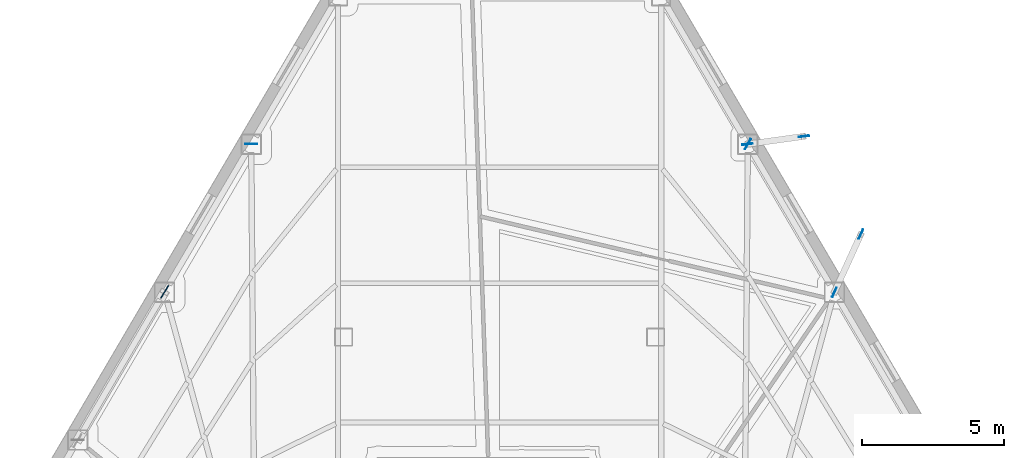
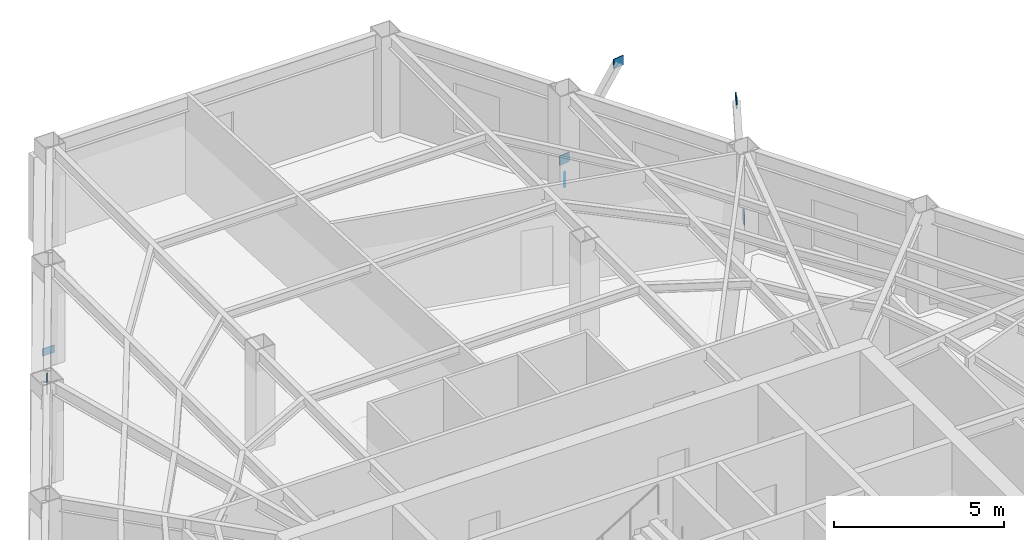
# One storey, part 7 of 13: 7 plates.
"""IFC4 building model written with IfcOpenShell, lengths in metres."""

from ifc_helpers import new_model, si_unit, direction, frame, origin, origin_2d, place, context, subcontext, project, spatial, rectangle, extrude, material, layer, layer_set, type_object, element, save


model = new_model("IFC4")

# Units and contexts
model_context = context("Model", 3, precision=1e-05, world=origin(), true_north=direction((0.0, 1.0)))
body_context = subcontext(model_context, "Body", "Model", "MODEL_VIEW")
ifc_project = project(units=[si_unit("LENGTHUNIT", "METRE"), si_unit("AREAUNIT", "SQUARE_METRE"), si_unit("VOLUMEUNIT", "CUBIC_METRE"), si_unit("PLANEANGLEUNIT", "RADIAN"), si_unit("MASSUNIT", "GRAM", prefix="KILO")], contexts=[model_context])

# Site, building, storey
site_placement = place(None, origin())
site = spatial("IfcSite", under=ifc_project, at=site_placement, CompositionType="ELEMENT")
building_placement = place(site_placement, origin())
building = spatial("IfcBuilding", under=site, at=building_placement, Name="Kavelnor Concourse Tower", CompositionType="ELEMENT")
storey_placement = place(building_placement, frame((0.0, 0.0, 131.699951171875)))
storey = spatial("IfcBuildingStorey", under=building, at=storey_placement, Name="L33", CompositionType="ELEMENT", Elevation=131.699951171875)

# Plates
ifc_material = material(Name="Steel Grade 350", Category="steel")
ifc_layer_1 = layer(ifc_material, 0.028076171875, Name="Steel Grade 350")
ifc_layer_set_1 = layer_set([ifc_layer_1], Name="Steel Grade 350")
plate_type_1 = type_object("IfcPlateType", Name="PL-GUSSET-FOLD", PredefinedType="USERDEFINED", material=ifc_layer_set_1)
for number, where, z_axis, x_axis, name in (
    (1, (49.803955078125, 33.378662109375, 0.8798828125), (0.0, 0.0, 1.0), (0.414693242656, 0.909961270877, 0.0), "L33 Balcony Strut Gusset GP4 2-A End Gusset A"),
    (2, (50.740234375, 35.43310546875, 3.48486328125), (0.0, 0.0, 1.0), (0.414693242656, 0.909961270877, 0.0), "L33 Balcony Strut Gusset GP4 2-A End Gusset B"),
    (3, (46.739501953125, 38.60205078125, 0.8798828125), (0.0, 0.0, 1.0), (0.990509463238, 0.137444546037, 0.0), "L33 Balcony Strut Gusset GP4 2-B End Gusset A"),
    (4, (48.73046875, 38.878173828125, 3.48486328125), (0.0, 0.0, 1.0), (0.990509463238, 0.137444546037, 0.0), "L33 Balcony Strut Gusset GP4 2-B End Gusset B"),
):
    element("IfcPlate", number, at=place(storey_placement, frame(where, z_axis=z_axis, x_axis=x_axis)), inside=storey, type_object=plate_type_1, Name=name, ObjectType="GUSSET_PLATE", PredefinedType="USERDEFINED", context=body_context, shape_type="SweptSolid", body=[
        extrude(rectangle(XDim=0.360107421875, YDim=0.028076171875, at=origin_2d()), origin(), (0.0, 0.0, 1.0), 0.340087890625),
    ])
ifc_layer_2 = layer(ifc_material, 0.031982421875, Name="Steel Grade 350")
ifc_layer_set_2 = layer_set([ifc_layer_2], Name="Steel Grade 350")
plate_type_2 = type_object("IfcPlateType", Name="PL-GUSSET-TUBE-Z1", PredefinedType="USERDEFINED", material=ifc_layer_set_2)
plate_placement = place(storey_placement, frame((26.197265625, 33.39990234375, 3.12353515625), z_axis=(0.0, 0.0, 1.0), x_axis=(0.505883219381, 0.862601975623, 0.0)))
element("IfcPlate", 5, at=plate_placement, inside=storey, type_object=plate_type_2, Name="L33 Tube Brace Gusset GP3 F0-B2 End Gusset B", ObjectType="GUSSET_PLATE", PredefinedType="USERDEFINED", context=body_context, shape_type="SweptSolid", body=[
    extrude(rectangle(XDim=0.52001953125, YDim=0.031982421875, at=origin_2d()), origin(), (0.0, 0.0, 1.0), 0.419921875),
])
ifc_layer_3 = layer(ifc_material, 0.02490234375, Name="Steel Grade 350")
ifc_layer_set_3 = layer_set([ifc_layer_3], Name="Steel Grade 350")
plate_type_3 = type_object("IfcPlateType", Name="PL-SPLICE-FLANGE", PredefinedType="SHEET", material=ifc_layer_set_3)
for number, where, z_axis, x_axis, name in (
    (6, (29.24853515625, 38.603515625, 0.169921875), (0.0, 0.0, 1.0), (1.0, 0.0, 0.0), "L33 Column Flange Splice Plate F0-B1"),
    (7, (46.75146484375, 38.603515625, 0.169921875), (0.0, 0.0, 1.0), (-0.5, -0.866025403784, 0.0), "L33 Column Flange Splice Plate F2-B5"),
):
    element("IfcPlate", number, at=place(storey_placement, frame(where, z_axis=z_axis, x_axis=x_axis)), inside=storey, type_object=plate_type_3, Name=name, PredefinedType="SHEET", context=body_context, shape_type="SweptSolid", body=[
        extrude(rectangle(XDim=0.419921875, YDim=0.02490234375, at=origin_2d()), origin(), (0.0, 0.0, 1.0), 0.260009765625),
    ])

save(model, "model.ifc")
